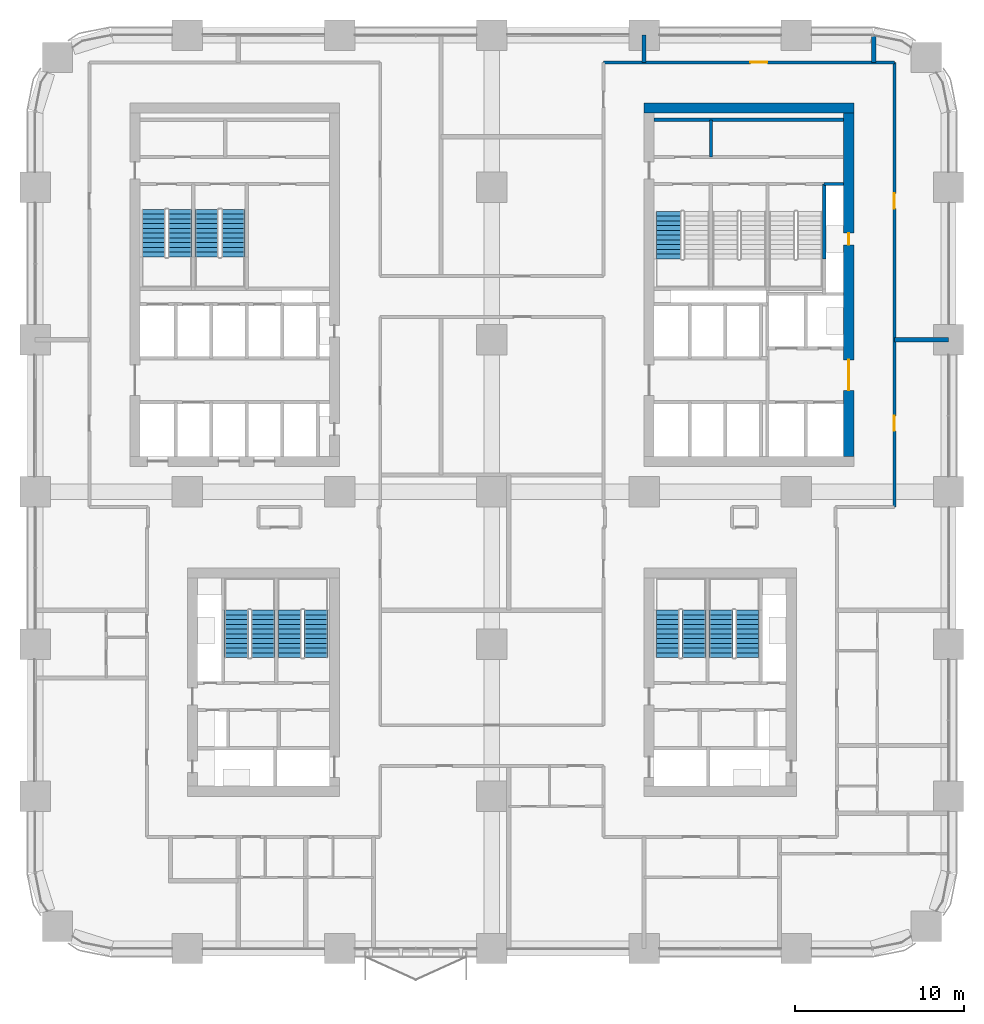
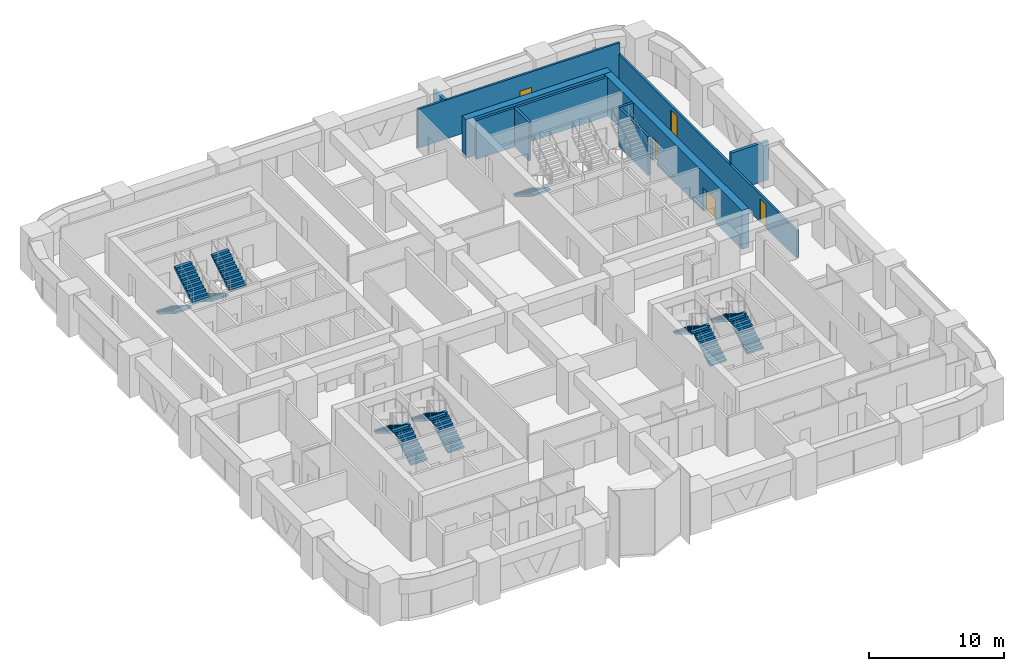
# One storey, part 20 of 24: 13 stair flights, 11 walls, 5 doors, 5 openings, 7 elements without a shape of their own.
"""IFC4 building model written with IfcOpenShell, lengths in metres."""

from ifc_helpers import new_model, si_unit, direction, frame, frame_2d, origin, place, context, subcontext, project, spatial, polyline, rectangle, outline, extrude, material, layer, layer_set, type_object, element, fill, aggregate, save


model = new_model("IFC4")

# Units and contexts
model_context = context("Model", 3, precision=1e-05, world=origin(), true_north=direction((0.0, 1.0)))
body_context = subcontext(model_context, "Body", "Model", "MODEL_VIEW")
ifc_project = project(units=[si_unit("LENGTHUNIT", "METRE"), si_unit("AREAUNIT", "SQUARE_METRE"), si_unit("VOLUMEUNIT", "CUBIC_METRE"), si_unit("PLANEANGLEUNIT", "RADIAN"), si_unit("MASSUNIT", "GRAM", prefix="KILO")], contexts=[model_context])

# Site, building, storey
site_placement = place(None, origin())
site = spatial("IfcSite", under=ifc_project, at=site_placement, CompositionType="ELEMENT")
building_placement = place(site_placement, origin())
building = spatial("IfcBuilding", under=site, at=building_placement, Name="Tessera Arch", CompositionType="ELEMENT")
storey_placement = place(building_placement, frame((0.0, 0.0, 38.60009765625)))
storey = spatial("IfcBuildingStorey", under=building, at=storey_placement, Name="L07", CompositionType="ELEMENT", Elevation=38.60009765625)

# Walls
ifc_material_1 = material(Name="Gypsum board on steel stud", Category="steel")
ifc_layer_1 = layer(ifc_material_1, 0.125)
ifc_layer_set_1 = layer_set([ifc_layer_1], Name="Core partition 125 EI 60")
wall_type_1 = type_object("IfcWallType", Name="Core partition 125 EI 60", PredefinedType="PARTITIONING", material=ifc_layer_set_1)
wall_1_placement = place(storey_placement, frame((39.9599609375, 46.800048828125, 0.0), z_axis=(0.0, 0.0, 1.0), x_axis=(0.0, 1.0, 0.0)))
element("IfcWall", 1, at=wall_1_placement, inside=storey, type_object=wall_type_1, Name="L07 C1 partition wall 5", PredefinedType="PARTITIONING", context=body_context, shape_type="SweptSolid", body=[
    extrude(rectangle(XDim=2.199951171875, YDim=0.199951171875, at=frame_2d((1.10009765625, 0.0))), origin(), (0.0, 0.0, 1.0), 3.5),
])
wall_2_placement = place(storey_placement, frame((36.60009765625, 49.0, 0.0), z_axis=(0.0, 0.0, 1.0), x_axis=(1.0, 0.0, 0.0)))
element("IfcWall", 2, at=wall_2_placement, inside=storey, type_object=wall_type_1, Name="L07 C1 partition wall 32", PredefinedType="PARTITIONING", context=body_context, shape_type="SweptSolid", body=[
    extrude(rectangle(XDim=11.199951171875, YDim=0.199951171875, at=frame_2d((5.60009765625, 0.0))), origin(), (0.0, 0.0, 1.0), 3.5),
])
ifc_material_2 = material(Name="Concrete C70/85", Category="concrete")
ifc_layer_2 = layer(ifc_material_2, 0.60009765625)
ifc_layer_set_2 = layer_set([ifc_layer_2], Name="Core shell wall 600 C70-85")
wall_type_2 = type_object("IfcWallType", Name="Core shell wall 600 C70-85", PredefinedType="SHEAR", material=ifc_layer_set_2)
wall_3_placement = place(storey_placement, frame((36.0, 49.699951171875, 0.0), z_axis=(0.0, 0.0, 1.0), x_axis=(1.0, 0.0, 0.0)))
element("IfcWall", 3, at=wall_3_placement, inside=storey, type_object=wall_type_2, Name="L07 C1 core wall N", PredefinedType="SHEAR", context=body_context, shape_type="SweptSolid", body=[
    extrude(rectangle(XDim=12.39990234375, YDim=0.60009765625, at=frame_2d((6.199951171875, 0.0))), origin(), (0.0, 0.0, 1.0), 3.5),
])

# Wall, openings, doors
wall_4_placement = place(storey_placement, frame((48.10009765625, 29.10009765625, 0.0), z_axis=(0.0, 0.0, 1.0), x_axis=(0.0, 1.0, 0.0)))
wall_4 = element("IfcWall", 4, at=wall_4_placement, inside=storey, type_object=wall_type_2, Name="L07 C1 core wall E", PredefinedType="SHEAR", context=body_context, shape_type="SweptSolid", body=[
    extrude(rectangle(XDim=20.2998046875, YDim=0.60009765625, at=frame_2d((10.14990234375, 0.0))), origin(), (0.0, 0.0, 1.0), 3.5),
])
opening_1_placement = place(wall_4_placement, frame((12.5, 0.0, 0.0)))
opening_1 = element("IfcOpeningElement", 5, at=opening_1_placement, cuts=wall_4, Name="Opening L07-C08", PredefinedType="OPENING", context=body_context, shape_type="SweptSolid", body=[
    extrude(rectangle(XDim=0.699951171875, YDim=2.10009765625, at=frame_2d((0.35009765625, 1.050048828125))), frame((0.0, 0.31005859375, 0.0), z_axis=(0.0, -1.0, 0.0), x_axis=(1.0, 0.0, 0.0)), (0.0, 0.0, 1.0), 0.6201171875),
])
opening_2_placement = place(wall_4_placement, frame((3.89990234375, 0.0, 0.0)))
opening_2 = element("IfcOpeningElement", 6, at=opening_2_placement, cuts=wall_4, Name="Opening L07-C09", PredefinedType="OPENING", context=body_context, shape_type="SweptSolid", body=[
    extrude(rectangle(XDim=1.800048828125, YDim=2.10009765625, at=frame_2d((0.89990234375, 1.050048828125))), frame((0.0, 0.31005859375, 0.0), z_axis=(0.0, -1.0, 0.0), x_axis=(1.0, 0.0, 0.0)), (0.0, 0.0, 1.0), 0.6201171875),
])
ifc_material_3 = material(Name="Glazed steel door leaf", Category="steel")
door_type_1 = type_object("IfcDoorType", Name="Lobby double door FD60 1800 x 2100", OperationType="DOUBLE_DOOR_SINGLE_SWING", PredefinedType="DOOR", material=ifc_material_3)
door_1_placement = place(opening_2_placement, origin())
door_1 = element("IfcDoor", 7, at=door_1_placement, inside=storey, type_object=door_type_1, Name="L07 C1 door 9 C09 type D19", OperationType="DOUBLE_DOOR_SINGLE_SWING", OverallHeight=2.10009765625, OverallWidth=1.800048828125, PredefinedType="DOOR", context=body_context, shape_type="SweptSolid", body=[
    extrude(rectangle(XDim=1.800048828125, YDim=2.10009765625, at=frame_2d((0.89990234375, 1.050048828125))), frame((0.0, 0.02490234375, 0.0), z_axis=(0.0, -1.0, 0.0), x_axis=(1.0, 0.0, 0.0)), (0.0, 0.0, 1.0), 0.050048828125),
])
fill(opening_2, door_1)
ifc_material_4 = material(Name="Steel door leaf", Category="steel")
door_type_2 = type_object("IfcDoorType", Name="Service shaft door FD60 700 x 2100", OperationType="SINGLE_SWING_LEFT", PredefinedType="DOOR", material=ifc_material_4)
door_2_placement = place(opening_1_placement, origin())
door_2 = element("IfcDoor", 8, at=door_2_placement, inside=storey, type_object=door_type_2, Name="L07 C1 door 8 C08 type D07", OperationType="SINGLE_SWING_RIGHT", OverallHeight=2.10009765625, OverallWidth=0.699951171875, PredefinedType="DOOR", context=body_context, shape_type="SweptSolid", body=[
    extrude(rectangle(XDim=0.699951171875, YDim=2.10009765625, at=frame_2d((0.35009765625, 1.050048828125))), frame((0.0, 0.02490234375, 0.0), z_axis=(0.0, -1.0, 0.0), x_axis=(1.0, 0.0, 0.0)), (0.0, 0.0, 1.0), 0.050048828125),
])
fill(opening_1, door_2)

# Wall, opening, door
ifc_material_5 = material(Name="Gypsum board on deep steel stud with mineral wool", Category="steel")
ifc_layer_3 = layer(ifc_material_5, 0.175048828125)
ifc_layer_set_3 = layer_set([ifc_layer_3], Name="Corridor wall 175 EI 60")
wall_type_3 = type_object("IfcWallType", Name="Corridor wall 175 EI 60", PredefinedType="PARTITIONING", material=ifc_layer_set_3)
wall_5_placement = place(storey_placement, frame((33.60009765625, 52.39990234375, 0.0), z_axis=(0.0, 0.0, 1.0), x_axis=(1.0, 0.0, 0.0)))
wall_5 = element("IfcWall", 9, at=wall_5_placement, inside=storey, type_object=wall_type_3, Name="L07 partition 20", PredefinedType="PARTITIONING", context=body_context, shape_type="SweptSolid", body=[
    extrude(rectangle(XDim=17.199951171875, YDim=0.175048828125, at=frame_2d((8.60009765625, 0.0))), origin(), (0.0, 0.0, 1.0), 3.5),
])
opening_3_placement = place(wall_5_placement, frame((8.69091796875, 0.0, 0.0)))
opening_3 = element("IfcOpeningElement", 10, at=opening_3_placement, cuts=wall_5, Name="Opening L07-D042", PredefinedType="OPENING", context=body_context, shape_type="SweptSolid", body=[
    extrude(rectangle(XDim=1.0, YDim=2.10009765625, at=frame_2d((0.5, 1.050048828125))), frame((0.0, 0.097412109375, 0.0), z_axis=(0.0, -1.0, 0.0), x_axis=(1.0, 0.0, 0.0)), (0.0, 0.0, 1.0), 0.195068359375),
])
ifc_material_6 = material(Name="Fire-rated door leaf")
door_type_3 = type_object("IfcDoorType", Name="Entrance door FD30S 1000 x 2100", OperationType="SINGLE_SWING_LEFT", PredefinedType="DOOR", material=ifc_material_6)
door_3_placement = place(opening_3_placement, origin())
door_3 = element("IfcDoor", 11, at=door_3_placement, inside=storey, type_object=door_type_3, Name="L07 door D042 type D03", OperationType="SINGLE_SWING_RIGHT", OverallHeight=2.10009765625, OverallWidth=1.0, PredefinedType="DOOR", context=body_context, shape_type="SweptSolid", body=[
    extrude(rectangle(XDim=1.0, YDim=2.10009765625, at=frame_2d((0.5, 1.050048828125))), frame((0.0, 0.02490234375, 0.0), z_axis=(0.0, -1.0, 0.0), x_axis=(1.0, 0.0, 0.0)), (0.0, 0.0, 1.0), 0.050048828125),
])
fill(opening_3, door_3)

# Wall, openings, doors
wall_6_placement = place(storey_placement, frame((50.800048828125, 26.10009765625, 0.0), z_axis=(0.0, 0.0, 1.0), x_axis=(0.0, 1.0, 0.0)))
wall_6 = element("IfcWall", 12, at=wall_6_placement, inside=storey, type_object=wall_type_3, Name="L07 partition 40", PredefinedType="PARTITIONING", context=body_context, shape_type="SweptSolid", body=[
    extrude(rectangle(XDim=26.2998046875, YDim=0.175048828125, at=frame_2d((13.14990234375, 0.0))), origin(), (0.0, 0.0, 1.0), 2.5),
])
opening_4_placement = place(wall_6_placement, frame((4.5, 0.0, 0.0)))
opening_4 = element("IfcOpeningElement", 13, at=opening_4_placement, cuts=wall_6, Name="Opening L07-D034", PredefinedType="OPENING", context=body_context, shape_type="SweptSolid", body=[
    extrude(rectangle(XDim=0.89990234375, YDim=2.10009765625, at=frame_2d((0.449951171875, 1.050048828125))), frame((0.0, 0.097412109375, 0.0), z_axis=(0.0, -1.0, 0.0), x_axis=(1.0, 0.0, 0.0)), (0.0, 0.0, 1.0), 0.195068359375),
])
opening_5_placement = place(wall_6_placement, frame((17.64990234375, 0.0, 0.0)))
opening_5 = element("IfcOpeningElement", 14, at=opening_5_placement, cuts=wall_6, Name="Opening L07-D038", PredefinedType="OPENING", context=body_context, shape_type="SweptSolid", body=[
    extrude(rectangle(XDim=0.89990234375, YDim=2.10009765625, at=frame_2d((0.449951171875, 1.050048828125))), frame((0.0, 0.097412109375, 0.0), z_axis=(0.0, -1.0, 0.0), x_axis=(1.0, 0.0, 0.0)), (0.0, 0.0, 1.0), 0.195068359375),
])
ifc_material_7 = material(Name="Timber door leaf", Category="wood")
door_type_4 = type_object("IfcDoorType", Name="Room door 900 x 2100", OperationType="SINGLE_SWING_LEFT", PredefinedType="DOOR", material=ifc_material_7)
door_4_placement = place(opening_4_placement, origin())
door_4 = element("IfcDoor", 15, at=door_4_placement, inside=storey, type_object=door_type_4, Name="L07 door D034 type D01", OperationType="SINGLE_SWING_LEFT", OverallHeight=2.10009765625, OverallWidth=0.89990234375, PredefinedType="DOOR", context=body_context, shape_type="SweptSolid", body=[
    extrude(rectangle(XDim=0.89990234375, YDim=2.10009765625, at=frame_2d((0.449951171875, 1.050048828125))), frame((0.0, 0.02490234375, 0.0), z_axis=(0.0, -1.0, 0.0), x_axis=(1.0, 0.0, 0.0)), (0.0, 0.0, 1.0), 0.050048828125),
])
fill(opening_4, door_4)
door_5_placement = place(opening_5_placement, origin())
door_5 = element("IfcDoor", 16, at=door_5_placement, inside=storey, type_object=door_type_4, Name="L07 door D038 type D01", OperationType="SINGLE_SWING_LEFT", OverallHeight=2.10009765625, OverallWidth=0.89990234375, PredefinedType="DOOR", context=body_context, shape_type="SweptSolid", body=[
    extrude(rectangle(XDim=0.89990234375, YDim=2.10009765625, at=frame_2d((0.449951171875, 1.050048828125))), frame((0.0, 0.02490234375, 0.0), z_axis=(0.0, -1.0, 0.0), x_axis=(1.0, 0.0, 0.0)), (0.0, 0.0, 1.0), 0.050048828125),
])
fill(opening_5, door_5)

# Walls
ifc_material_8 = material(Name="Double gypsum board on twin steel stud with acoustic mineral wool", Category="steel")
ifc_layer_4 = layer(ifc_material_8, 0.25)
ifc_layer_set_4 = layer_set([ifc_layer_4], Name="Party wall 250 EI 60")
wall_type_4 = type_object("IfcWallType", Name="Party wall 250 EI 60", PredefinedType="PARTITIONING", material=ifc_layer_set_4)
wall_7_placement = place(storey_placement, frame((50.800048828125, 36.0, 0.0), z_axis=(0.0, 0.0, 1.0), x_axis=(1.0, 0.0, 0.0)))
element("IfcWall", 17, at=wall_7_placement, inside=storey, type_object=wall_type_4, Name="L07 partition 58", PredefinedType="PARTITIONING", context=body_context, shape_type="SweptSolid", body=[
    extrude(rectangle(XDim=3.199951171875, YDim=0.25, at=frame_2d((1.60009765625, 0.0))), origin(), (0.0, 0.0, 1.0), 3.5),
])
wall_8_placement = place(storey_placement, frame((36.0, 52.39990234375, 0.0), z_axis=(0.0, 0.0, 1.0), x_axis=(0.0, 1.0, 0.0)))
element("IfcWall", 18, at=wall_8_placement, inside=storey, type_object=wall_type_4, Name="L07 partition 70", PredefinedType="PARTITIONING", context=body_context, shape_type="SweptSolid", body=[
    extrude(rectangle(XDim=1.60009765625, YDim=0.25, at=frame_2d((0.800048828125, 0.0))), origin(), (0.0, 0.0, 1.0), 3.5),
])
wall_9_placement = place(storey_placement, frame((49.58203125, 52.39990234375, 0.0), z_axis=(0.0, 0.0, 1.0), x_axis=(0.0, 1.0, 0.0)))
element("IfcWall", 19, at=wall_9_placement, inside=storey, type_object=wall_type_4, Name="L07 partition 72", PredefinedType="PARTITIONING", context=body_context, shape_type="SweptSolid", body=[
    extrude(rectangle(XDim=1.583984375, YDim=0.25, at=frame_2d((0.7919921875, 0.0))), origin(), (0.0, 0.0, 1.0), 2.5),
])
ifc_material_9 = material(Name="Concrete C40/50", Category="concrete")
ifc_layer_5 = layer(ifc_material_9, 0.199951171875)
ifc_layer_set_5 = layer_set([ifc_layer_5], Name="Shaft wall 200 EI 120")
wall_type_5 = type_object("IfcWallType", Name="Shaft wall 200 EI 120", PredefinedType="SOLIDWALL", material=ifc_layer_set_5)
wall_10_placement = place(storey_placement, frame((46.64990234375, 45.199951171875, 0.0), z_axis=(0.0, 0.0, 1.0), x_axis=(1.0, 0.0, 0.0)))
element("IfcWall", 20, at=wall_10_placement, inside=storey, type_object=wall_type_5, Name="L07 C1 shaft wall 29", PredefinedType="SOLIDWALL", context=body_context, shape_type="SweptSolid", body=[
    extrude(rectangle(XDim=1.150146484375, YDim=0.199951171875, at=frame_2d((0.5751953125, 0.0))), origin(), (0.0, 0.0, 1.0), 3.5),
])
ifc_material_10 = material(Name="Concrete C40/50", Category="concrete")
ifc_layer_6 = layer(ifc_material_10, 0.199951171875)
ifc_layer_set_6 = layer_set([ifc_layer_6], Name="Stair well wall 200 REI 180")
wall_type_6 = type_object("IfcWallType", Name="Stair well wall 200 REI 180", PredefinedType="SOLIDWALL", material=ifc_layer_set_6)
wall_11_placement = place(storey_placement, frame((46.64990234375, 40.780029296875, 0.0), z_axis=(0.0, 0.0, 1.0), x_axis=(0.0, 1.0, 0.0)))
element("IfcWall", 21, at=wall_11_placement, inside=storey, type_object=wall_type_6, Name="L07 C1 shaft wall 17", PredefinedType="SOLIDWALL", context=body_context, shape_type="SweptSolid", body=[
    extrude(rectangle(XDim=4.419921875, YDim=0.199951171875, at=frame_2d((2.2099609375, 0.0))), origin(), (0.0, 0.0, 1.0), 3.5),
])

# Stair, stair flights
ifc_material_11 = material(Name="Concrete C40/50", Category="concrete")
stair_type_1 = type_object("IfcStairType", Name="Dogleg stair 1400", PredefinedType="HALF_TURN_STAIR", material=ifc_material_11)
stair_1_placement = place(storey_placement, origin())
stair_1 = element("IfcStair", 22, at=stair_1_placement, inside=storey, type_object=stair_type_1, Name="L07 S2a", PredefinedType="HALF_TURN_STAIR")
ifc_material_12 = material(Name="Concrete C40/50", Category="concrete")
stair_flight_type_1 = type_object("IfcStairFlightType", Name="Stair flight 1400", PredefinedType="STRAIGHT", material=ifc_material_12)
stair_flight_1_placement = place(storey_placement, frame((7.0, 43.699951171875, 0.0), z_axis=(0.0, 0.0, 1.0), x_axis=(0.0, -1.0, 0.0)))
stair_flight_1 = element("IfcStairFlight", 23, at=stair_flight_1_placement, type_object=stair_flight_type_1, Name="S2a flight 1", NumberOfRisers=11, NumberOfTreads=10, PredefinedType="STRAIGHT", RiserHeight=0.172727273, TreadLength=0.28, context=body_context, shape_type="SweptSolid", body=[
    extrude(outline(polyline([(0.0, 0.0), (0.0, 0.172607421875), (0.280029296875, 0.172607421875), (0.280029296875, 0.345458984375), (0.56005859375, 0.345458984375), (0.56005859375, 0.51806640625), (0.840087890625, 0.51806640625), (0.840087890625, 0.69091796875), (1.1201171875, 0.69091796875), (1.1201171875, 0.863525390625), (1.39990234375, 0.863525390625), (1.39990234375, 1.036376953125), (1.679931640625, 1.036376953125), (1.679931640625, 1.208984375), (1.9599609375, 1.208984375), (1.9599609375, 1.3818359375), (2.239990234375, 1.3818359375), (2.239990234375, 1.554443359375), (2.52001953125, 1.554443359375), (2.52001953125, 1.727294921875), (2.800048828125, 1.727294921875), (2.800048828125, 1.89990234375), (2.800048828125, 1.551025390625), (0.285400390625, 0.0), (0.0, 0.0)])), frame((0.0, 0.699951171875, 0.0), z_axis=(0.0, -1.0, 0.0), x_axis=(1.0, 0.0, 0.0)), (0.0, 0.0, 1.0), 1.39990234375),
])
stair_flight_2_placement = place(storey_placement, frame((8.550048828125, 40.89990234375, 1.89990234375), z_axis=(0.0, 0.0, 1.0), x_axis=(0.0, 1.0, 0.0)))
stair_flight_2 = element("IfcStairFlight", 24, at=stair_flight_2_placement, type_object=stair_flight_type_1, Name="S2a flight 2", NumberOfRisers=11, NumberOfTreads=10, PredefinedType="STRAIGHT", RiserHeight=0.172727273, TreadLength=0.28, context=body_context, shape_type="SweptSolid", body=[
    extrude(outline(polyline([(0.0, 0.0), (0.0, 0.172607421875), (0.280029296875, 0.172607421875), (0.280029296875, 0.345458984375), (0.56005859375, 0.345458984375), (0.56005859375, 0.51806640625), (0.840087890625, 0.51806640625), (0.840087890625, 0.69091796875), (1.1201171875, 0.69091796875), (1.1201171875, 0.863525390625), (1.39990234375, 0.863525390625), (1.39990234375, 1.036376953125), (1.679931640625, 1.036376953125), (1.679931640625, 1.208984375), (1.9599609375, 1.208984375), (1.9599609375, 1.3818359375), (2.239990234375, 1.3818359375), (2.239990234375, 1.554443359375), (2.52001953125, 1.554443359375), (2.52001953125, 1.727294921875), (2.800048828125, 1.727294921875), (2.800048828125, 1.89990234375), (2.800048828125, 1.551025390625), (0.285400390625, 0.0), (0.0, 0.0)])), frame((0.0, 0.699951171875, 0.0), z_axis=(0.0, -1.0, 0.0), x_axis=(1.0, 0.0, 0.0)), (0.0, 0.0, 1.0), 1.39990234375),
])
aggregate(stair_1, [stair_flight_1, stair_flight_2])

stair_2_placement = place(storey_placement, origin())
stair_2 = element("IfcStair", 25, at=stair_2_placement, inside=storey, type_object=stair_type_1, Name="L07 S2b", PredefinedType="HALF_TURN_STAIR")
stair_flight_3_placement = place(storey_placement, frame((10.14990234375, 43.699951171875, 0.0), z_axis=(0.0, 0.0, 1.0), x_axis=(0.0, -1.0, 0.0)))
stair_flight_3 = element("IfcStairFlight", 26, at=stair_flight_3_placement, type_object=stair_flight_type_1, Name="S2b flight 1", NumberOfRisers=11, NumberOfTreads=10, PredefinedType="STRAIGHT", RiserHeight=0.172727273, TreadLength=0.28, context=body_context, shape_type="SweptSolid", body=[
    extrude(outline(polyline([(0.0, 0.0), (0.0, 0.172607421875), (0.280029296875, 0.172607421875), (0.280029296875, 0.345458984375), (0.56005859375, 0.345458984375), (0.56005859375, 0.51806640625), (0.840087890625, 0.51806640625), (0.840087890625, 0.69091796875), (1.1201171875, 0.69091796875), (1.1201171875, 0.863525390625), (1.39990234375, 0.863525390625), (1.39990234375, 1.036376953125), (1.679931640625, 1.036376953125), (1.679931640625, 1.208984375), (1.9599609375, 1.208984375), (1.9599609375, 1.3818359375), (2.239990234375, 1.3818359375), (2.239990234375, 1.554443359375), (2.52001953125, 1.554443359375), (2.52001953125, 1.727294921875), (2.800048828125, 1.727294921875), (2.800048828125, 1.89990234375), (2.800048828125, 1.551025390625), (0.285400390625, 0.0), (0.0, 0.0)])), frame((0.0, 0.699951171875, 0.0), z_axis=(0.0, -1.0, 0.0), x_axis=(1.0, 0.0, 0.0)), (0.0, 0.0, 1.0), 1.39990234375),
])
stair_flight_4_placement = place(storey_placement, frame((11.699951171875, 40.89990234375, 1.89990234375), z_axis=(0.0, 0.0, 1.0), x_axis=(0.0, 1.0, 0.0)))
stair_flight_4 = element("IfcStairFlight", 27, at=stair_flight_4_placement, type_object=stair_flight_type_1, Name="S2b flight 2", NumberOfRisers=11, NumberOfTreads=10, PredefinedType="STRAIGHT", RiserHeight=0.172727273, TreadLength=0.28, context=body_context, shape_type="SweptSolid", body=[
    extrude(outline(polyline([(0.0, 0.0), (0.0, 0.172607421875), (0.280029296875, 0.172607421875), (0.280029296875, 0.345458984375), (0.56005859375, 0.345458984375), (0.56005859375, 0.51806640625), (0.840087890625, 0.51806640625), (0.840087890625, 0.69091796875), (1.1201171875, 0.69091796875), (1.1201171875, 0.863525390625), (1.39990234375, 0.863525390625), (1.39990234375, 1.036376953125), (1.679931640625, 1.036376953125), (1.679931640625, 1.208984375), (1.9599609375, 1.208984375), (1.9599609375, 1.3818359375), (2.239990234375, 1.3818359375), (2.239990234375, 1.554443359375), (2.52001953125, 1.554443359375), (2.52001953125, 1.727294921875), (2.800048828125, 1.727294921875), (2.800048828125, 1.89990234375), (2.800048828125, 1.551025390625), (0.285400390625, 0.0), (0.0, 0.0)])), frame((0.0, 0.699951171875, 0.0), z_axis=(0.0, -1.0, 0.0), x_axis=(1.0, 0.0, 0.0)), (0.0, 0.0, 1.0), 1.39990234375),
])
aggregate(stair_2, [stair_flight_3, stair_flight_4])

stair_3_placement = place(storey_placement, origin())
stair_3 = element("IfcStair", 28, at=stair_3_placement, inside=storey, type_object=stair_type_1, Name="L07 S3a", PredefinedType="HALF_TURN_STAIR")
stair_flight_5_placement = place(storey_placement, frame((38.949951171875, 17.199951171875, 0.0), z_axis=(0.0, 0.0, 1.0), x_axis=(0.0, 1.0, 0.0)))
stair_flight_5 = element("IfcStairFlight", 29, at=stair_flight_5_placement, type_object=stair_flight_type_1, Name="S3a flight 1", NumberOfRisers=11, NumberOfTreads=10, PredefinedType="STRAIGHT", RiserHeight=0.172727273, TreadLength=0.28, context=body_context, shape_type="SweptSolid", body=[
    extrude(outline(polyline([(0.0, 0.0), (0.0, 0.172607421875), (0.280029296875, 0.172607421875), (0.280029296875, 0.345458984375), (0.56005859375, 0.345458984375), (0.56005859375, 0.51806640625), (0.840087890625, 0.51806640625), (0.840087890625, 0.69091796875), (1.1201171875, 0.69091796875), (1.1201171875, 0.863525390625), (1.39990234375, 0.863525390625), (1.39990234375, 1.036376953125), (1.679931640625, 1.036376953125), (1.679931640625, 1.208984375), (1.9599609375, 1.208984375), (1.9599609375, 1.3818359375), (2.239990234375, 1.3818359375), (2.239990234375, 1.554443359375), (2.52001953125, 1.554443359375), (2.52001953125, 1.727294921875), (2.800048828125, 1.727294921875), (2.800048828125, 1.89990234375), (2.800048828125, 1.551025390625), (0.285400390625, 0.0), (0.0, 0.0)])), frame((0.0, 0.699951171875, 0.0), z_axis=(0.0, -1.0, 0.0), x_axis=(1.0, 0.0, 0.0)), (0.0, 0.0, 1.0), 1.39990234375),
])
stair_flight_6_placement = place(storey_placement, frame((37.39990234375, 20.0, 1.89990234375), z_axis=(0.0, 0.0, 1.0), x_axis=(0.0, -1.0, 0.0)))
stair_flight_6 = element("IfcStairFlight", 30, at=stair_flight_6_placement, type_object=stair_flight_type_1, Name="S3a flight 2", NumberOfRisers=11, NumberOfTreads=10, PredefinedType="STRAIGHT", RiserHeight=0.172727273, TreadLength=0.28, context=body_context, shape_type="SweptSolid", body=[
    extrude(outline(polyline([(0.0, 0.0), (0.0, 0.172607421875), (0.280029296875, 0.172607421875), (0.280029296875, 0.345458984375), (0.56005859375, 0.345458984375), (0.56005859375, 0.51806640625), (0.840087890625, 0.51806640625), (0.840087890625, 0.69091796875), (1.1201171875, 0.69091796875), (1.1201171875, 0.863525390625), (1.39990234375, 0.863525390625), (1.39990234375, 1.036376953125), (1.679931640625, 1.036376953125), (1.679931640625, 1.208984375), (1.9599609375, 1.208984375), (1.9599609375, 1.3818359375), (2.239990234375, 1.3818359375), (2.239990234375, 1.554443359375), (2.52001953125, 1.554443359375), (2.52001953125, 1.727294921875), (2.800048828125, 1.727294921875), (2.800048828125, 1.89990234375), (2.800048828125, 1.551025390625), (0.285400390625, 0.0), (0.0, 0.0)])), frame((0.0, 0.699951171875, 0.0), z_axis=(0.0, -1.0, 0.0), x_axis=(1.0, 0.0, 0.0)), (0.0, 0.0, 1.0), 1.39990234375),
])
aggregate(stair_3, [stair_flight_5, stair_flight_6])

stair_4_placement = place(storey_placement, origin())
stair_4 = element("IfcStair", 31, at=stair_4_placement, inside=storey, type_object=stair_type_1, Name="L07 S3b", PredefinedType="HALF_TURN_STAIR")
stair_flight_7_placement = place(storey_placement, frame((42.10009765625, 17.199951171875, 0.0), z_axis=(0.0, 0.0, 1.0), x_axis=(0.0, 1.0, 0.0)))
stair_flight_7 = element("IfcStairFlight", 32, at=stair_flight_7_placement, type_object=stair_flight_type_1, Name="S3b flight 1", NumberOfRisers=11, NumberOfTreads=10, PredefinedType="STRAIGHT", RiserHeight=0.172727273, TreadLength=0.28, context=body_context, shape_type="SweptSolid", body=[
    extrude(outline(polyline([(0.0, 0.0), (0.0, 0.172607421875), (0.280029296875, 0.172607421875), (0.280029296875, 0.345458984375), (0.56005859375, 0.345458984375), (0.56005859375, 0.51806640625), (0.840087890625, 0.51806640625), (0.840087890625, 0.69091796875), (1.1201171875, 0.69091796875), (1.1201171875, 0.863525390625), (1.39990234375, 0.863525390625), (1.39990234375, 1.036376953125), (1.679931640625, 1.036376953125), (1.679931640625, 1.208984375), (1.9599609375, 1.208984375), (1.9599609375, 1.3818359375), (2.239990234375, 1.3818359375), (2.239990234375, 1.554443359375), (2.52001953125, 1.554443359375), (2.52001953125, 1.727294921875), (2.800048828125, 1.727294921875), (2.800048828125, 1.89990234375), (2.800048828125, 1.551025390625), (0.285400390625, 0.0), (0.0, 0.0)])), frame((0.0, 0.699951171875, 0.0), z_axis=(0.0, -1.0, 0.0), x_axis=(1.0, 0.0, 0.0)), (0.0, 0.0, 1.0), 1.39990234375),
])
stair_flight_8_placement = place(storey_placement, frame((40.550048828125, 20.0, 1.89990234375), z_axis=(0.0, 0.0, 1.0), x_axis=(0.0, -1.0, 0.0)))
stair_flight_8 = element("IfcStairFlight", 33, at=stair_flight_8_placement, type_object=stair_flight_type_1, Name="S3b flight 2", NumberOfRisers=11, NumberOfTreads=10, PredefinedType="STRAIGHT", RiserHeight=0.172727273, TreadLength=0.28, context=body_context, shape_type="SweptSolid", body=[
    extrude(outline(polyline([(0.0, 0.0), (0.0, 0.172607421875), (0.280029296875, 0.172607421875), (0.280029296875, 0.345458984375), (0.56005859375, 0.345458984375), (0.56005859375, 0.51806640625), (0.840087890625, 0.51806640625), (0.840087890625, 0.69091796875), (1.1201171875, 0.69091796875), (1.1201171875, 0.863525390625), (1.39990234375, 0.863525390625), (1.39990234375, 1.036376953125), (1.679931640625, 1.036376953125), (1.679931640625, 1.208984375), (1.9599609375, 1.208984375), (1.9599609375, 1.3818359375), (2.239990234375, 1.3818359375), (2.239990234375, 1.554443359375), (2.52001953125, 1.554443359375), (2.52001953125, 1.727294921875), (2.800048828125, 1.727294921875), (2.800048828125, 1.89990234375), (2.800048828125, 1.551025390625), (0.285400390625, 0.0), (0.0, 0.0)])), frame((0.0, 0.699951171875, 0.0), z_axis=(0.0, -1.0, 0.0), x_axis=(1.0, 0.0, 0.0)), (0.0, 0.0, 1.0), 1.39990234375),
])
aggregate(stair_4, [stair_flight_7, stair_flight_8])

stair_5_placement = place(storey_placement, origin())
stair_5 = element("IfcStair", 34, at=stair_5_placement, inside=storey, type_object=stair_type_1, Name="L07 S4a", PredefinedType="HALF_TURN_STAIR")
stair_flight_9_placement = place(storey_placement, frame((16.60009765625, 17.199951171875, 0.0), z_axis=(0.0, 0.0, 1.0), x_axis=(0.0, 1.0, 0.0)))
stair_flight_9 = element("IfcStairFlight", 35, at=stair_flight_9_placement, type_object=stair_flight_type_1, Name="S4a flight 1", NumberOfRisers=11, NumberOfTreads=10, PredefinedType="STRAIGHT", RiserHeight=0.172727273, TreadLength=0.28, context=body_context, shape_type="SweptSolid", body=[
    extrude(outline(polyline([(0.0, 0.0), (0.0, 0.172607421875), (0.280029296875, 0.172607421875), (0.280029296875, 0.345458984375), (0.56005859375, 0.345458984375), (0.56005859375, 0.51806640625), (0.840087890625, 0.51806640625), (0.840087890625, 0.69091796875), (1.1201171875, 0.69091796875), (1.1201171875, 0.863525390625), (1.39990234375, 0.863525390625), (1.39990234375, 1.036376953125), (1.679931640625, 1.036376953125), (1.679931640625, 1.208984375), (1.9599609375, 1.208984375), (1.9599609375, 1.3818359375), (2.239990234375, 1.3818359375), (2.239990234375, 1.554443359375), (2.52001953125, 1.554443359375), (2.52001953125, 1.727294921875), (2.800048828125, 1.727294921875), (2.800048828125, 1.89990234375), (2.800048828125, 1.551025390625), (0.285400390625, 0.0), (0.0, 0.0)])), frame((0.0, 0.699951171875, 0.0), z_axis=(0.0, -1.0, 0.0), x_axis=(1.0, 0.0, 0.0)), (0.0, 0.0, 1.0), 1.39990234375),
])
stair_flight_10_placement = place(storey_placement, frame((15.050048828125, 20.0, 1.89990234375), z_axis=(0.0, 0.0, 1.0), x_axis=(0.0, -1.0, 0.0)))
stair_flight_10 = element("IfcStairFlight", 36, at=stair_flight_10_placement, type_object=stair_flight_type_1, Name="S4a flight 2", NumberOfRisers=11, NumberOfTreads=10, PredefinedType="STRAIGHT", RiserHeight=0.172727273, TreadLength=0.28, context=body_context, shape_type="SweptSolid", body=[
    extrude(outline(polyline([(0.0, 0.0), (0.0, 0.172607421875), (0.280029296875, 0.172607421875), (0.280029296875, 0.345458984375), (0.56005859375, 0.345458984375), (0.56005859375, 0.51806640625), (0.840087890625, 0.51806640625), (0.840087890625, 0.69091796875), (1.1201171875, 0.69091796875), (1.1201171875, 0.863525390625), (1.39990234375, 0.863525390625), (1.39990234375, 1.036376953125), (1.679931640625, 1.036376953125), (1.679931640625, 1.208984375), (1.9599609375, 1.208984375), (1.9599609375, 1.3818359375), (2.239990234375, 1.3818359375), (2.239990234375, 1.554443359375), (2.52001953125, 1.554443359375), (2.52001953125, 1.727294921875), (2.800048828125, 1.727294921875), (2.800048828125, 1.89990234375), (2.800048828125, 1.551025390625), (0.285400390625, 0.0), (0.0, 0.0)])), frame((0.0, 0.699951171875, 0.0), z_axis=(0.0, -1.0, 0.0), x_axis=(1.0, 0.0, 0.0)), (0.0, 0.0, 1.0), 1.39990234375),
])
aggregate(stair_5, [stair_flight_9, stair_flight_10])

stair_6_placement = place(storey_placement, origin())
stair_6 = element("IfcStair", 37, at=stair_6_placement, inside=storey, type_object=stair_type_1, Name="L07 S4b", PredefinedType="HALF_TURN_STAIR")
stair_flight_11_placement = place(storey_placement, frame((13.449951171875, 17.199951171875, 0.0), z_axis=(0.0, 0.0, 1.0), x_axis=(0.0, 1.0, 0.0)))
stair_flight_11 = element("IfcStairFlight", 38, at=stair_flight_11_placement, type_object=stair_flight_type_1, Name="S4b flight 1", NumberOfRisers=11, NumberOfTreads=10, PredefinedType="STRAIGHT", RiserHeight=0.172727273, TreadLength=0.28, context=body_context, shape_type="SweptSolid", body=[
    extrude(outline(polyline([(0.0, 0.0), (0.0, 0.172607421875), (0.280029296875, 0.172607421875), (0.280029296875, 0.345458984375), (0.56005859375, 0.345458984375), (0.56005859375, 0.51806640625), (0.840087890625, 0.51806640625), (0.840087890625, 0.69091796875), (1.1201171875, 0.69091796875), (1.1201171875, 0.863525390625), (1.39990234375, 0.863525390625), (1.39990234375, 1.036376953125), (1.679931640625, 1.036376953125), (1.679931640625, 1.208984375), (1.9599609375, 1.208984375), (1.9599609375, 1.3818359375), (2.239990234375, 1.3818359375), (2.239990234375, 1.554443359375), (2.52001953125, 1.554443359375), (2.52001953125, 1.727294921875), (2.800048828125, 1.727294921875), (2.800048828125, 1.89990234375), (2.800048828125, 1.551025390625), (0.285400390625, 0.0), (0.0, 0.0)])), frame((0.0, 0.699951171875, 0.0), z_axis=(0.0, -1.0, 0.0), x_axis=(1.0, 0.0, 0.0)), (0.0, 0.0, 1.0), 1.39990234375),
])
stair_flight_12_placement = place(storey_placement, frame((11.89990234375, 20.0, 1.89990234375), z_axis=(0.0, 0.0, 1.0), x_axis=(0.0, -1.0, 0.0)))
stair_flight_12 = element("IfcStairFlight", 39, at=stair_flight_12_placement, type_object=stair_flight_type_1, Name="S4b flight 2", NumberOfRisers=11, NumberOfTreads=10, PredefinedType="STRAIGHT", RiserHeight=0.172727273, TreadLength=0.28, context=body_context, shape_type="SweptSolid", body=[
    extrude(outline(polyline([(0.0, 0.0), (0.0, 0.172607421875), (0.280029296875, 0.172607421875), (0.280029296875, 0.345458984375), (0.56005859375, 0.345458984375), (0.56005859375, 0.51806640625), (0.840087890625, 0.51806640625), (0.840087890625, 0.69091796875), (1.1201171875, 0.69091796875), (1.1201171875, 0.863525390625), (1.39990234375, 0.863525390625), (1.39990234375, 1.036376953125), (1.679931640625, 1.036376953125), (1.679931640625, 1.208984375), (1.9599609375, 1.208984375), (1.9599609375, 1.3818359375), (2.239990234375, 1.3818359375), (2.239990234375, 1.554443359375), (2.52001953125, 1.554443359375), (2.52001953125, 1.727294921875), (2.800048828125, 1.727294921875), (2.800048828125, 1.89990234375), (2.800048828125, 1.551025390625), (0.285400390625, 0.0), (0.0, 0.0)])), frame((0.0, 0.699951171875, 0.0), z_axis=(0.0, -1.0, 0.0), x_axis=(1.0, 0.0, 0.0)), (0.0, 0.0, 1.0), 1.39990234375),
])
aggregate(stair_6, [stair_flight_11, stair_flight_12])

# Stair, stair flight
ifc_material_13 = material(Name="Concrete C40/50", Category="concrete")
stair_type_2 = type_object("IfcStairType", Name="Dogleg stair 1520", PredefinedType="HALF_TURN_STAIR", material=ifc_material_13)
stair_7_placement = place(storey_placement, origin())
stair_7 = element("IfcStair", 40, at=stair_7_placement, inside=storey, type_object=stair_type_2, Name="L07 S1a", PredefinedType="HALF_TURN_STAIR")
ifc_material_14 = material(Name="Concrete C40/50", Category="concrete")
stair_flight_type_2 = type_object("IfcStairFlightType", Name="Stair flight 1520", PredefinedType="STRAIGHT", material=ifc_material_14)
stair_flight_13_placement = place(storey_placement, frame((37.4599609375, 43.580078125, 0.0), z_axis=(0.0, 0.0, 1.0), x_axis=(0.0, -1.0, 0.0)))
stair_flight_13 = element("IfcStairFlight", 41, at=stair_flight_13_placement, type_object=stair_flight_type_2, Name="S1a flight 1", NumberOfRisers=11, NumberOfTreads=10, PredefinedType="STRAIGHT", RiserHeight=0.172727273, TreadLength=0.28, context=body_context, shape_type="SweptSolid", body=[
    extrude(outline(polyline([(0.0, 0.0), (0.0, 0.172607421875), (0.280029296875, 0.172607421875), (0.280029296875, 0.345458984375), (0.56005859375, 0.345458984375), (0.56005859375, 0.51806640625), (0.840087890625, 0.51806640625), (0.840087890625, 0.69091796875), (1.1201171875, 0.69091796875), (1.1201171875, 0.863525390625), (1.39990234375, 0.863525390625), (1.39990234375, 1.036376953125), (1.679931640625, 1.036376953125), (1.679931640625, 1.208984375), (1.9599609375, 1.208984375), (1.9599609375, 1.3818359375), (2.239990234375, 1.3818359375), (2.239990234375, 1.554443359375), (2.52001953125, 1.554443359375), (2.52001953125, 1.727294921875), (2.800048828125, 1.727294921875), (2.800048828125, 1.89990234375), (2.800048828125, 1.551025390625), (0.285400390625, 0.0), (0.0, 0.0)])), frame((0.0, 0.760009765625, 0.0), z_axis=(0.0, -1.0, 0.0), x_axis=(1.0, 0.0, 0.0)), (0.0, 0.0, 1.0), 1.52001953125),
])
aggregate(stair_7, [stair_flight_13])

save(model, "model.ifc")
